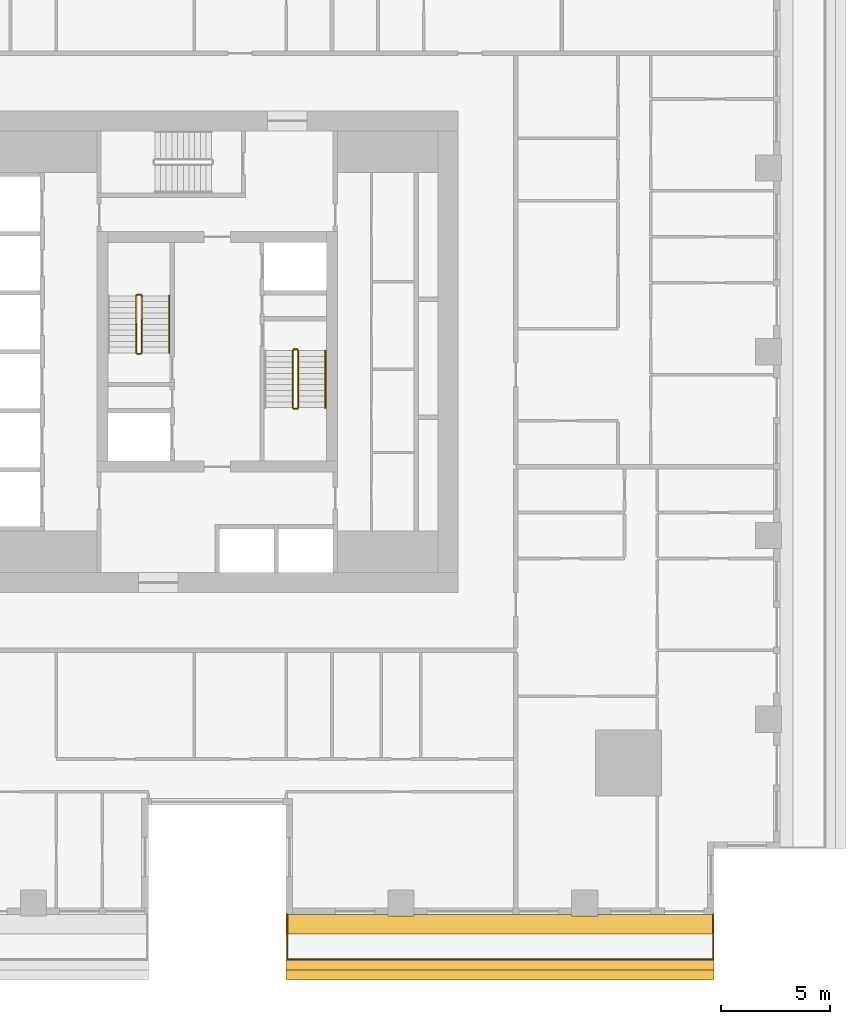
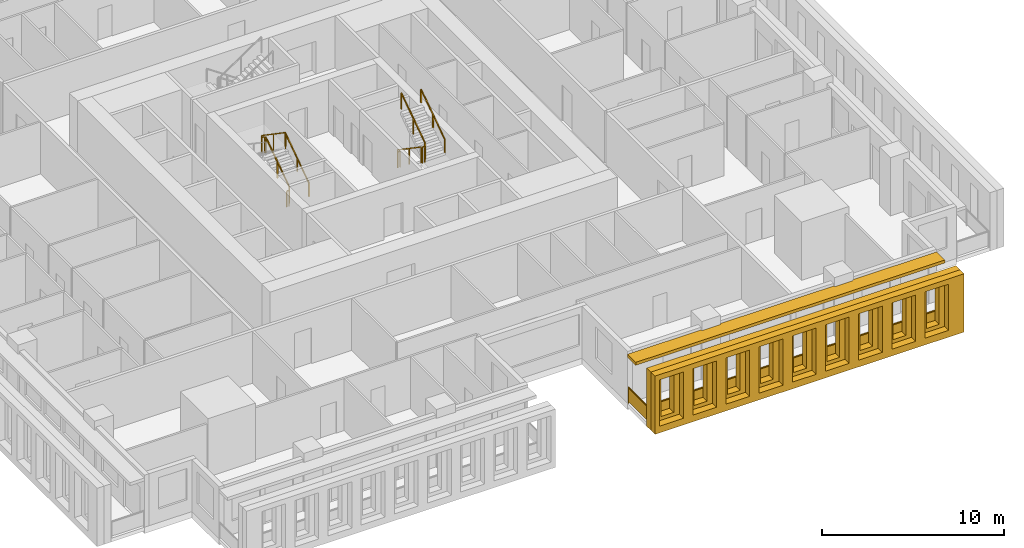
# One storey, part 12 of 15: 11 railings, 3 shading devices.
"""IFC4 building model written with IfcOpenShell, lengths in metres."""

from ifc_helpers import new_model, si_unit, direction, frame, origin, origin_2d, place, context, subcontext, project, spatial, polyline, rectangle, outline, extrude, material, layer, layer_set, type_object, element, save


model = new_model("IFC4")

# Units and contexts
model_context = context("Model", 3, precision=1e-05, world=origin(), true_north=direction((0.0, 1.0)))
body_context = subcontext(model_context, "Body", "Model", "MODEL_VIEW")
ifc_project = project(units=[si_unit("LENGTHUNIT", "METRE"), si_unit("AREAUNIT", "SQUARE_METRE"), si_unit("VOLUMEUNIT", "CUBIC_METRE"), si_unit("PLANEANGLEUNIT", "RADIAN"), si_unit("MASSUNIT", "GRAM", prefix="KILO")], contexts=[model_context])

# Site, building, storey
site_placement = place(None, origin())
site = spatial("IfcSite", under=ifc_project, at=site_placement, CompositionType="ELEMENT")
building_placement = place(site_placement, origin())
building = spatial("IfcBuilding", under=site, at=building_placement, Name="Khepri Terraces", CompositionType="ELEMENT")
storey_placement = place(building_placement, frame((0.0, 0.0, 30.89990234375)))
storey = spatial("IfcBuildingStorey", under=building, at=storey_placement, Name="L06", CompositionType="ELEMENT", Elevation=30.89990234375)

# Railings
ifc_material_1 = material(Name="Stainless steel grade 316", Category="steel")
railing_type_1 = type_object("IfcRailingType", Name="GRD-BAL-1100", PredefinedType="GUARDRAIL", material=ifc_material_1)
railing_1_placement = place(storey_placement, frame((3.199951171875, -25.719970703125, 0.0)))
element("IfcRailing", 1, at=railing_1_placement, inside=storey, type_object=railing_type_1, Name="Balcony guard L06 S", PredefinedType="GUARDRAIL", context=body_context, shape_type="SweptSolid", body=[
    extrude(rectangle(XDim=0.050048828125, YDim=0.06005859375, at=origin_2d()), frame((0.0, 0.0, 1.070068359375), z_axis=(0.0, -1.0, 0.0), x_axis=(1.0, 0.0, 0.0)), (0.0, 0.0, 1.0), 2.050048828125),
    extrude(rectangle(XDim=2.0, YDim=0.011962890625, at=origin_2d()), frame((0.0, -1.02490234375, 0.10009765625), z_axis=(0.0, 0.0, 1.0), x_axis=(0.0, -1.0, 0.0)), (0.0, 0.0, 1.0), 0.93994140625),
    extrude(rectangle(XDim=0.050048828125, YDim=0.06005859375, at=origin_2d()), frame((0.0, -2.050048828125, 1.070068359375), z_axis=(1.0, 0.0, 0.0), x_axis=(0.0, 1.0, 0.0)), (0.0, 0.0, 1.0), 19.469970703125),
    extrude(rectangle(XDim=2.11328125, YDim=0.011962890625, at=origin_2d()), frame((1.08154296875, -2.050048828125, 0.10009765625), z_axis=(0.0, 0.0, 1.0), x_axis=(1.0, 0.0, 0.0)), (0.0, 0.0, 1.0), 0.93994140625),
    extrude(rectangle(XDim=2.11328125, YDim=0.011962890625, at=origin_2d()), frame((3.2451171875, -2.050048828125, 0.10009765625), z_axis=(0.0, 0.0, 1.0), x_axis=(1.0, 0.0, 0.0)), (0.0, 0.0, 1.0), 0.93994140625),
    extrude(rectangle(XDim=2.11328125, YDim=0.011962890625, at=origin_2d()), frame((5.408203125, -2.050048828125, 0.10009765625), z_axis=(0.0, 0.0, 1.0), x_axis=(1.0, 0.0, 0.0)), (0.0, 0.0, 1.0), 0.93994140625),
    extrude(rectangle(XDim=2.11328125, YDim=0.011962890625, at=origin_2d()), frame((7.57177734375, -2.050048828125, 0.10009765625), z_axis=(0.0, 0.0, 1.0), x_axis=(1.0, 0.0, 0.0)), (0.0, 0.0, 1.0), 0.93994140625),
    extrude(rectangle(XDim=2.11328125, YDim=0.011962890625, at=origin_2d()), frame((9.73486328125, -2.050048828125, 0.10009765625), z_axis=(0.0, 0.0, 1.0), x_axis=(1.0, 0.0, 0.0)), (0.0, 0.0, 1.0), 0.93994140625),
    extrude(rectangle(XDim=2.11328125, YDim=0.011962890625, at=origin_2d()), frame((11.8984375, -2.050048828125, 0.10009765625), z_axis=(0.0, 0.0, 1.0), x_axis=(1.0, 0.0, 0.0)), (0.0, 0.0, 1.0), 0.93994140625),
    extrude(rectangle(XDim=2.11328125, YDim=0.011962890625, at=origin_2d()), frame((14.0615234375, -2.050048828125, 0.10009765625), z_axis=(0.0, 0.0, 1.0), x_axis=(1.0, 0.0, 0.0)), (0.0, 0.0, 1.0), 0.93994140625),
    extrude(rectangle(XDim=2.11328125, YDim=0.011962890625, at=origin_2d()), frame((16.22509765625, -2.050048828125, 0.10009765625), z_axis=(0.0, 0.0, 1.0), x_axis=(1.0, 0.0, 0.0)), (0.0, 0.0, 1.0), 0.93994140625),
    extrude(rectangle(XDim=2.11328125, YDim=0.011962890625, at=origin_2d()), frame((18.38818359375, -2.050048828125, 0.10009765625), z_axis=(0.0, 0.0, 1.0), x_axis=(1.0, 0.0, 0.0)), (0.0, 0.0, 1.0), 0.93994140625),
    extrude(rectangle(XDim=0.050048828125, YDim=0.06005859375, at=origin_2d()), frame((19.469970703125, -2.050048828125, 1.070068359375), z_axis=(0.0, 1.0, 0.0), x_axis=(-1.0, 0.0, 0.0)), (0.0, 0.0, 1.0), 2.050048828125),
    extrude(rectangle(XDim=2.0, YDim=0.011962890625, at=origin_2d()), frame((19.469970703125, -1.02490234375, 0.10009765625), z_axis=(0.0, 0.0, 1.0), x_axis=(0.0, 1.0, 0.0)), (0.0, 0.0, 1.0), 0.93994140625),
    extrude(rectangle(XDim=0.050048828125, YDim=0.050048828125, at=origin_2d()), origin(), (0.0, 0.0, 1.0), 1.0400390625),
    extrude(rectangle(XDim=0.050048828125, YDim=0.050048828125, at=origin_2d()), frame((0.0, -2.050048828125, 0.0)), (0.0, 0.0, 1.0), 1.0400390625),
    extrude(rectangle(XDim=0.050048828125, YDim=0.050048828125, at=origin_2d()), frame((2.163330078125, -2.050048828125, 0.0)), (0.0, 0.0, 1.0), 1.0400390625),
    extrude(rectangle(XDim=0.050048828125, YDim=0.050048828125, at=origin_2d()), frame((4.32666015625, -2.050048828125, 0.0)), (0.0, 0.0, 1.0), 1.0400390625),
    extrude(rectangle(XDim=0.050048828125, YDim=0.050048828125, at=origin_2d()), frame((6.489990234375, -2.050048828125, 0.0)), (0.0, 0.0, 1.0), 1.0400390625),
    extrude(rectangle(XDim=0.050048828125, YDim=0.050048828125, at=origin_2d()), frame((8.6533203125, -2.050048828125, 0.0)), (0.0, 0.0, 1.0), 1.0400390625),
    extrude(rectangle(XDim=0.050048828125, YDim=0.050048828125, at=origin_2d()), frame((10.816650390625, -2.050048828125, 0.0)), (0.0, 0.0, 1.0), 1.0400390625),
    extrude(rectangle(XDim=0.050048828125, YDim=0.050048828125, at=origin_2d()), frame((12.97998046875, -2.050048828125, 0.0)), (0.0, 0.0, 1.0), 1.0400390625),
    extrude(rectangle(XDim=0.050048828125, YDim=0.050048828125, at=origin_2d()), frame((15.143310546875, -2.050048828125, 0.0)), (0.0, 0.0, 1.0), 1.0400390625),
    extrude(rectangle(XDim=0.050048828125, YDim=0.050048828125, at=origin_2d()), frame((17.306640625, -2.050048828125, 0.0)), (0.0, 0.0, 1.0), 1.0400390625),
    extrude(rectangle(XDim=0.050048828125, YDim=0.050048828125, at=origin_2d()), frame((19.469970703125, -2.050048828125, 0.0)), (0.0, 0.0, 1.0), 1.0400390625),
    extrude(rectangle(XDim=0.050048828125, YDim=0.050048828125, at=origin_2d()), frame((19.469970703125, 0.0, 0.0)), (0.0, 0.0, 1.0), 1.0400390625),
])
ifc_material_2 = material(Name="Stainless steel 316", Category="steel")
railing_type_2 = type_object("IfcRailingType", Name="RL-CORE-GUARD", PredefinedType="GUARDRAIL", material=ifc_material_2)
railing_2_placement = place(storey_placement, frame((-3.449951171875, -0.050048828125, 0.177490234375)))
element("IfcRailing", 2, at=railing_2_placement, inside=storey, type_object=railing_type_2, Name="L06 ST-1 stair guard 1", PredefinedType="GUARDRAIL", context=body_context, shape_type="SweptSolid", body=[
    extrude(rectangle(XDim=0.050048828125, YDim=0.06005859375, at=origin_2d()), frame((0.0, 0.0, 1.070068359375), z_axis=(0.0, 0.826240473404, 0.563317565952), x_axis=(-1.0, 0.0, 0.0)), (0.0, 0.0, 1.0), 3.14697265625),
    extrude(rectangle(XDim=0.050048828125, YDim=0.050048828125, at=origin_2d()), origin(), (0.0, 0.0, 1.0), 1.0400390625),
    extrude(rectangle(XDim=0.050048828125, YDim=0.050048828125, at=origin_2d()), frame((0.0, 1.300048828125, 0.88623046875)), (0.0, 0.0, 1.0), 1.0400390625),
    extrude(rectangle(XDim=0.050048828125, YDim=0.050048828125, at=origin_2d()), frame((0.0, 2.60009765625, 1.772705078125)), (0.0, 0.0, 1.0), 1.0400390625),
])
railing_3_placement = place(storey_placement, frame((-3.5, 2.60009765625, 1.9501953125)))
element("IfcRailing", 3, at=railing_3_placement, inside=storey, type_object=railing_type_2, Name="L06 ST-1 stair guard 2", PredefinedType="GUARDRAIL", context=body_context, shape_type="SweptSolid", body=[
    extrude(rectangle(XDim=0.050048828125, YDim=0.06005859375, at=origin_2d()), frame((0.0, 0.0, 1.070068359375), z_axis=(-1.0, 0.0, 0.0), x_axis=(0.0, -1.0, 0.0)), (0.0, 0.0, 1.0), 0.14990234375),
    extrude(rectangle(XDim=0.050048828125, YDim=0.050048828125, at=origin_2d()), origin(), (0.0, 0.0, 1.0), 1.0400390625),
    extrude(rectangle(XDim=0.050048828125, YDim=0.050048828125, at=origin_2d()), frame((-0.14990234375, 0.0, 0.0)), (0.0, 0.0, 1.0), 1.0400390625),
])
railing_4_placement = place(storey_placement, frame((-3.699951171875, 2.550048828125, 2.12744140625)))
element("IfcRailing", 4, at=railing_4_placement, inside=storey, type_object=railing_type_2, Name="L06 ST-1 stair guard 3", PredefinedType="GUARDRAIL", context=body_context, shape_type="SweptSolid", body=[
    extrude(rectangle(XDim=0.050048828125, YDim=0.06005859375, at=origin_2d()), frame((0.0, 0.0, 1.070068359375), z_axis=(0.0, -0.826240473404, 0.563317565952), x_axis=(1.0, 0.0, 0.0)), (0.0, 0.0, 1.0), 3.14697265625),
    extrude(rectangle(XDim=0.050048828125, YDim=0.050048828125, at=origin_2d()), origin(), (0.0, 0.0, 1.0), 1.0400390625),
    extrude(rectangle(XDim=0.050048828125, YDim=0.050048828125, at=origin_2d()), frame((0.0, -1.300048828125, 0.88623046875)), (0.0, 0.0, 1.0), 1.0400390625),
    extrude(rectangle(XDim=0.050048828125, YDim=0.050048828125, at=origin_2d()), frame((0.0, -2.60009765625, 1.772705078125)), (0.0, 0.0, 1.0), 1.0400390625),
])
railing_5_placement = place(storey_placement, frame((-3.5, -0.10009765625, 0.0)))
element("IfcRailing", 5, at=railing_5_placement, inside=storey, type_object=railing_type_2, Name="L06 ST-1 stair guard 4", PredefinedType="GUARDRAIL", context=body_context, shape_type="SweptSolid", body=[
    extrude(rectangle(XDim=0.050048828125, YDim=0.06005859375, at=origin_2d()), frame((0.0, 0.0, 1.070068359375), z_axis=(-1.0, 0.0, 0.0), x_axis=(0.0, -1.0, 0.0)), (0.0, 0.0, 1.0), 0.14990234375),
    extrude(rectangle(XDim=0.050048828125, YDim=0.050048828125, at=origin_2d()), origin(), (0.0, 0.0, 1.0), 1.0400390625),
    extrude(rectangle(XDim=0.050048828125, YDim=0.050048828125, at=origin_2d()), frame((-0.14990234375, 0.0, 0.0)), (0.0, 0.0, 1.0), 1.0400390625),
])
railing_6_placement = place(storey_placement, frame((3.449951171875, 0.050048828125, 0.177490234375)))
element("IfcRailing", 6, at=railing_6_placement, inside=storey, type_object=railing_type_2, Name="L06 ST-2 stair guard 1", PredefinedType="GUARDRAIL", context=body_context, shape_type="SweptSolid", body=[
    extrude(rectangle(XDim=0.050048828125, YDim=0.06005859375, at=origin_2d()), frame((0.0, 0.0, 1.070068359375), z_axis=(0.0, -0.826240473404, 0.563317565952), x_axis=(1.0, 0.0, 0.0)), (0.0, 0.0, 1.0), 3.14697265625),
    extrude(rectangle(XDim=0.050048828125, YDim=0.050048828125, at=origin_2d()), origin(), (0.0, 0.0, 1.0), 1.0400390625),
    extrude(rectangle(XDim=0.050048828125, YDim=0.050048828125, at=origin_2d()), frame((0.0, -1.300048828125, 0.88623046875)), (0.0, 0.0, 1.0), 1.0400390625),
    extrude(rectangle(XDim=0.050048828125, YDim=0.050048828125, at=origin_2d()), frame((0.0, -2.60009765625, 1.772705078125)), (0.0, 0.0, 1.0), 1.0400390625),
])
railing_7_placement = place(storey_placement, frame((3.5, -2.60009765625, 1.9501953125)))
element("IfcRailing", 7, at=railing_7_placement, inside=storey, type_object=railing_type_2, Name="L06 ST-2 stair guard 2", PredefinedType="GUARDRAIL", context=body_context, shape_type="SweptSolid", body=[
    extrude(rectangle(XDim=0.050048828125, YDim=0.06005859375, at=origin_2d()), frame((0.0, 0.0, 1.070068359375), z_axis=(1.0, 0.0, 0.0), x_axis=(0.0, 1.0, 0.0)), (0.0, 0.0, 1.0), 0.14990234375),
    extrude(rectangle(XDim=0.050048828125, YDim=0.050048828125, at=origin_2d()), origin(), (0.0, 0.0, 1.0), 1.0400390625),
    extrude(rectangle(XDim=0.050048828125, YDim=0.050048828125, at=origin_2d()), frame((0.14990234375, 0.0, 0.0)), (0.0, 0.0, 1.0), 1.0400390625),
])
railing_8_placement = place(storey_placement, frame((3.699951171875, -2.550048828125, 2.12744140625)))
element("IfcRailing", 8, at=railing_8_placement, inside=storey, type_object=railing_type_2, Name="L06 ST-2 stair guard 3", PredefinedType="GUARDRAIL", context=body_context, shape_type="SweptSolid", body=[
    extrude(rectangle(XDim=0.050048828125, YDim=0.06005859375, at=origin_2d()), frame((0.0, 0.0, 1.070068359375), z_axis=(0.0, 0.826240473404, 0.563317565952), x_axis=(-1.0, 0.0, 0.0)), (0.0, 0.0, 1.0), 3.14697265625),
    extrude(rectangle(XDim=0.050048828125, YDim=0.050048828125, at=origin_2d()), origin(), (0.0, 0.0, 1.0), 1.0400390625),
    extrude(rectangle(XDim=0.050048828125, YDim=0.050048828125, at=origin_2d()), frame((0.0, 1.300048828125, 0.88623046875)), (0.0, 0.0, 1.0), 1.0400390625),
    extrude(rectangle(XDim=0.050048828125, YDim=0.050048828125, at=origin_2d()), frame((0.0, 2.60009765625, 1.772705078125)), (0.0, 0.0, 1.0), 1.0400390625),
])
railing_9_placement = place(storey_placement, frame((3.5, 0.10009765625, 0.0)))
element("IfcRailing", 9, at=railing_9_placement, inside=storey, type_object=railing_type_2, Name="L06 ST-2 stair guard 4", PredefinedType="GUARDRAIL", context=body_context, shape_type="SweptSolid", body=[
    extrude(rectangle(XDim=0.050048828125, YDim=0.06005859375, at=origin_2d()), frame((0.0, 0.0, 1.070068359375), z_axis=(1.0, 0.0, 0.0), x_axis=(0.0, 1.0, 0.0)), (0.0, 0.0, 1.0), 0.14990234375),
    extrude(rectangle(XDim=0.050048828125, YDim=0.050048828125, at=origin_2d()), origin(), (0.0, 0.0, 1.0), 1.0400390625),
    extrude(rectangle(XDim=0.050048828125, YDim=0.050048828125, at=origin_2d()), frame((0.14990234375, 0.0, 0.0)), (0.0, 0.0, 1.0), 1.0400390625),
])
railing_type_3 = type_object("IfcRailingType", Name="RL-CORE-HANDRAIL", PredefinedType="HANDRAIL", material=ifc_material_2)
for number, where, name in (
    (10, (-2.199951171875, -0.050048828125, 0.177490234375), "L06 ST-1 stair handrail 1"),
    (11, (4.949951171875, -2.550048828125, 2.12744140625), "L06 ST-2 stair handrail 2"),
):
    element("IfcRailing", number, at=place(storey_placement, frame(where)), inside=storey, type_object=railing_type_3, Name=name, PredefinedType="HANDRAIL", context=body_context, shape_type="SweptSolid", body=[
        extrude(rectangle(XDim=0.050048828125, YDim=0.050048828125, at=origin_2d()), frame((0.0, 0.0, 0.875), z_axis=(0.0, 0.826240473404, 0.563317565952), x_axis=(-1.0, 0.0, 0.0)), (0.0, 0.0, 1.0), 3.14697265625),
        extrude(rectangle(XDim=0.050048828125, YDim=0.050048828125, at=origin_2d()), origin(), (0.0, 0.0, 1.0), 0.849853515625),
        extrude(rectangle(XDim=0.050048828125, YDim=0.050048828125, at=origin_2d()), frame((0.0, 1.300048828125, 0.88623046875)), (0.0, 0.0, 1.0), 0.849853515625),
        extrude(rectangle(XDim=0.050048828125, YDim=0.050048828125, at=origin_2d()), frame((0.0, 2.60009765625, 1.772705078125)), (0.0, 0.0, 1.0), 0.849853515625),
    ])

# Shading devices
ifc_material_3 = material(Name="Precast concrete C50/60 warm stone", Category="masonry")
shading_device_type_1 = type_object("IfcShadingDeviceType", Name="SCR-CELL-INNER-450", PredefinedType="USERDEFINED", material=ifc_material_3)
shading_device_1_placement = place(storey_placement, frame((3.14990234375, -27.820068359375, -0.25), z_axis=(0.0, -1.0, 0.0), x_axis=(1.0, 0.0, 0.0)))
element("IfcShadingDevice", 12, at=shading_device_1_placement, inside=storey, type_object=shading_device_type_1, Name="Cell screen L06 S in", ObjectType="SCREEN", PredefinedType="USERDEFINED", context=body_context, shape_type="SweptSolid", body=[
    extrude(outline(polyline([(0.0, 0.0), (19.570068359375, 0.0), (19.570068359375, 3.89990234375), (0.0, 3.89990234375), (0.0, 0.0)]), holes=[polyline([(0.6484375, 0.699951171875), (1.45166015625, 0.699951171875), (1.45166015625, 3.300048828125), (0.6484375, 3.300048828125), (0.6484375, 0.699951171875)]), polyline([(2.748291015625, 0.699951171875), (3.551513671875, 0.699951171875), (3.551513671875, 3.300048828125), (2.748291015625, 3.300048828125), (2.748291015625, 0.699951171875)]), polyline([(4.848388671875, 0.699951171875), (5.651611328125, 0.699951171875), (5.651611328125, 3.300048828125), (4.848388671875, 3.300048828125), (4.848388671875, 0.699951171875)]), polyline([(6.948486328125, 0.699951171875), (7.751708984375, 0.699951171875), (7.751708984375, 3.300048828125), (6.948486328125, 3.300048828125), (6.948486328125, 0.699951171875)]), polyline([(9.04833984375, 0.699951171875), (9.8515625, 0.699951171875), (9.8515625, 3.300048828125), (9.04833984375, 3.300048828125), (9.04833984375, 0.699951171875)]), polyline([(11.1484375, 0.699951171875), (11.95166015625, 0.699951171875), (11.95166015625, 3.300048828125), (11.1484375, 3.300048828125), (11.1484375, 0.699951171875)]), polyline([(13.248291015625, 0.699951171875), (14.051513671875, 0.699951171875), (14.051513671875, 3.300048828125), (13.248291015625, 3.300048828125), (13.248291015625, 0.699951171875)]), polyline([(15.348388671875, 0.699951171875), (16.151611328125, 0.699951171875), (16.151611328125, 3.300048828125), (15.348388671875, 3.300048828125), (15.348388671875, 0.699951171875)]), polyline([(17.448486328125, 0.699951171875), (18.251708984375, 0.699951171875), (18.251708984375, 3.300048828125), (17.448486328125, 3.300048828125), (17.448486328125, 0.699951171875)])]), origin(), (0.0, 0.0, 1.0), 0.449951171875),
])
shading_device_type_2 = type_object("IfcShadingDeviceType", Name="SCR-CELL-OUTER-450", PredefinedType="USERDEFINED", material=ifc_material_3)
shading_device_2_placement = place(storey_placement, frame((3.14990234375, -28.27001953125, -0.25), z_axis=(0.0, -1.0, 0.0), x_axis=(1.0, 0.0, 0.0)))
element("IfcShadingDevice", 13, at=shading_device_2_placement, inside=storey, type_object=shading_device_type_2, Name="Cell screen L06 S out", ObjectType="SCREEN", PredefinedType="USERDEFINED", context=body_context, shape_type="SweptSolid", body=[
    extrude(outline(polyline([(0.0, 0.0), (19.570068359375, 0.0), (19.570068359375, 3.89990234375), (0.0, 3.89990234375), (0.0, 0.0)]), holes=[polyline([(0.29833984375, 0.449951171875), (1.801513671875, 0.449951171875), (1.801513671875, 3.550048828125), (0.29833984375, 3.550048828125), (0.29833984375, 0.449951171875)]), polyline([(2.3984375, 0.449951171875), (3.901611328125, 0.449951171875), (3.901611328125, 3.550048828125), (2.3984375, 3.550048828125), (2.3984375, 0.449951171875)]), polyline([(4.498291015625, 0.449951171875), (6.001708984375, 0.449951171875), (6.001708984375, 3.550048828125), (4.498291015625, 3.550048828125), (4.498291015625, 0.449951171875)]), polyline([(6.598388671875, 0.449951171875), (8.1015625, 0.449951171875), (8.1015625, 3.550048828125), (6.598388671875, 3.550048828125), (6.598388671875, 0.449951171875)]), polyline([(8.698486328125, 0.449951171875), (10.20166015625, 0.449951171875), (10.20166015625, 3.550048828125), (8.698486328125, 3.550048828125), (8.698486328125, 0.449951171875)]), polyline([(10.79833984375, 0.449951171875), (12.301513671875, 0.449951171875), (12.301513671875, 3.550048828125), (10.79833984375, 3.550048828125), (10.79833984375, 0.449951171875)]), polyline([(12.8984375, 0.449951171875), (14.401611328125, 0.449951171875), (14.401611328125, 3.550048828125), (12.8984375, 3.550048828125), (12.8984375, 0.449951171875)]), polyline([(14.998291015625, 0.449951171875), (16.501708984375, 0.449951171875), (16.501708984375, 3.550048828125), (14.998291015625, 3.550048828125), (14.998291015625, 0.449951171875)]), polyline([(17.098388671875, 0.449951171875), (18.6015625, 0.449951171875), (18.6015625, 3.550048828125), (17.098388671875, 3.550048828125), (17.098388671875, 0.449951171875)])]), origin(), (0.0, 0.0, 1.0), 0.449951171875),
])
ifc_layer = layer(ifc_material_3, 0.199951171875, Name="Precast concrete C50/60 warm stone", Category="masonry")
ifc_layer_set = layer_set([ifc_layer], Name="Precast concrete C50/60 warm stone")
shading_device_type_3 = type_object("IfcShadingDeviceType", Name="SSH-BAND-STONE-200", PredefinedType="USERDEFINED", material=ifc_layer_set)
shading_device_3_placement = place(storey_placement, frame((0.0, 0.0, 3.10009765625)))
element("IfcShadingDevice", 14, at=shading_device_3_placement, inside=storey, type_object=shading_device_type_3, Name="Sunshade band L06 S", ObjectType="SUNSHADE", PredefinedType="USERDEFINED", context=body_context, shape_type="SweptSolid", body=[
    extrude(outline(polyline([(7.800048828125, -25.719970703125), (3.14990234375, -25.719970703125), (3.14990234375, -26.6201171875), (22.719970703125, -26.6201171875), (22.719970703125, -25.719970703125), (17.39990234375, -25.719970703125), (17.39990234375, -25.800048828125), (16.199951171875, -25.800048828125), (16.199951171875, -25.719970703125), (9.0, -25.719970703125), (9.0, -25.800048828125), (7.800048828125, -25.800048828125), (7.800048828125, -25.719970703125)])), origin(), (0.0, 0.0, 1.0), 0.199951171875),
])

save(model, "model.ifc")
